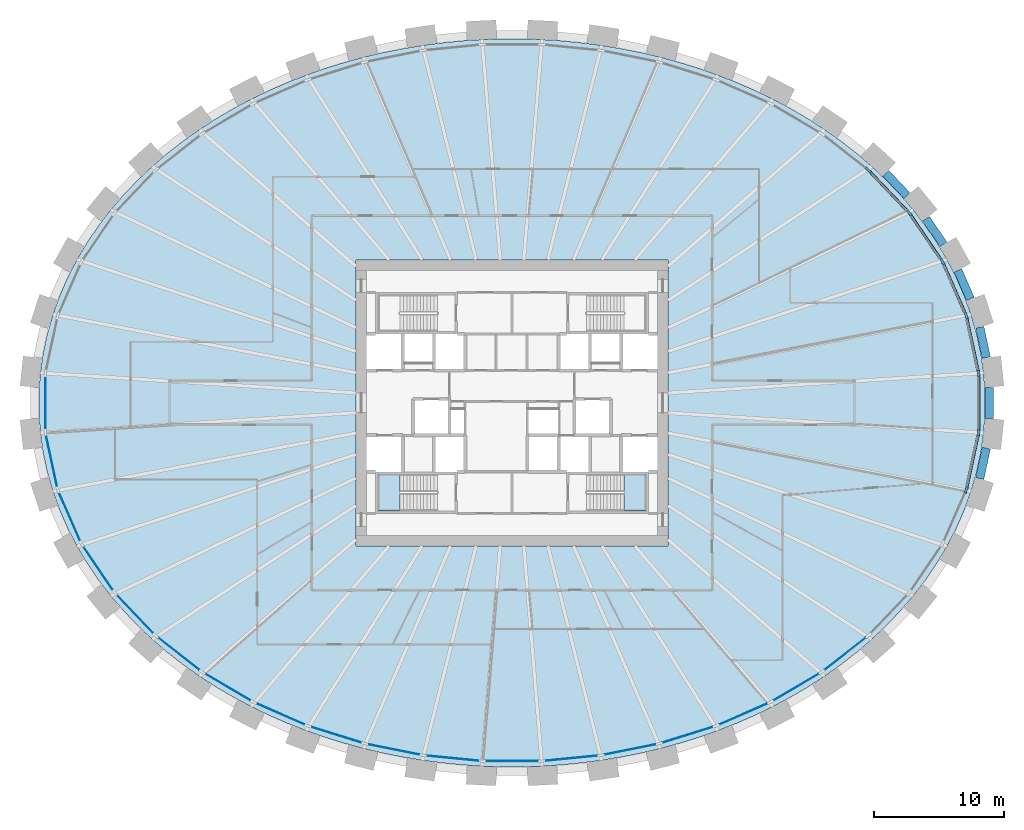
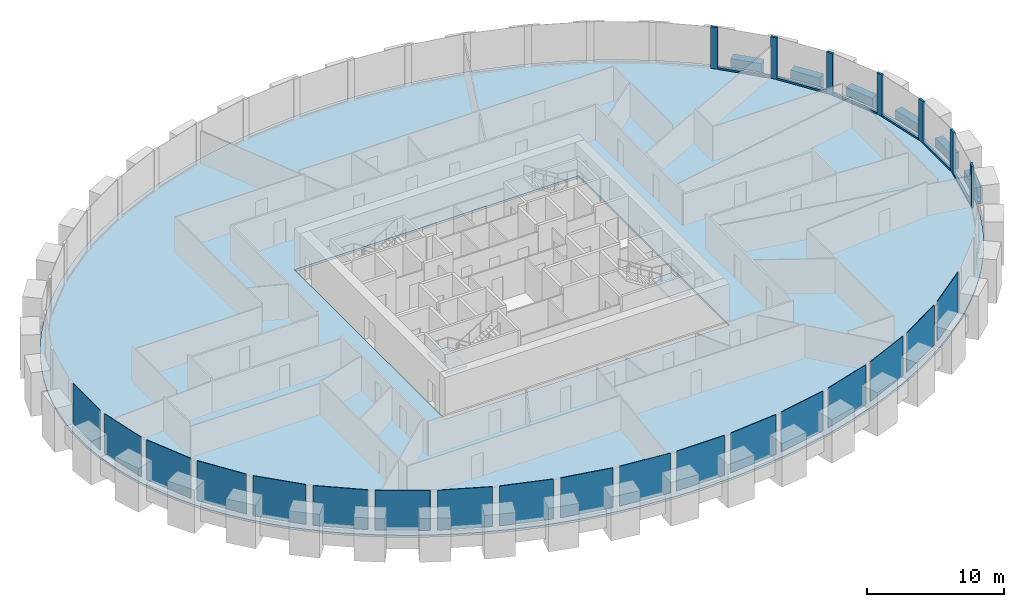
# One storey, part 4 of 10: 18 plates, 13 members, 6 beams, 3 slabs, 3 elements without a shape of their own.
"""IFC4 building model written with IfcOpenShell, lengths in metres."""

from ifc_helpers import new_model, si_unit, direction, frame, origin, origin_2d, place, context, subcontext, project, spatial, polyline, rectangle, outline, extrude, source, transform, mapped, material, layer, layer_set, material_profile, profile_set, type_object, element, aggregate, save


model = new_model("IFC4")

# Units and contexts
model_context = context("Model", 3, precision=1e-05, world=origin(), true_north=direction((0.0, 1.0)))
body_context = subcontext(model_context, "Body", "Model", "MODEL_VIEW")
ifc_project = project(units=[si_unit("LENGTHUNIT", "METRE"), si_unit("AREAUNIT", "SQUARE_METRE"), si_unit("VOLUMEUNIT", "CUBIC_METRE"), si_unit("PLANEANGLEUNIT", "RADIAN"), si_unit("MASSUNIT", "GRAM", prefix="KILO")], contexts=[model_context])

# Site, building, storey
site_placement = place(None, origin())
site = spatial("IfcSite", under=ifc_project, at=site_placement, CompositionType="ELEMENT")
building_placement = place(site_placement, origin())
building = spatial("IfcBuilding", under=site, at=building_placement, Name="Embergate Tower", CompositionType="ELEMENT")
storey_placement = place(building_placement, frame((0.0, 0.0, 175.5)))
storey = spatial("IfcBuildingStorey", under=building, at=storey_placement, Name="L39", CompositionType="ELEMENT", Elevation=175.5)

# Beams
ifc_material_1 = material(Name="Concrete C70", Category="concrete")
ifc_material_profile_1 = material_profile(ifc_material_1, rectangle(XDim=0.64990234375, YDim=1.5, at=origin_2d()), Name="RC 650x1500")
ifc_profile_set_1 = profile_set([ifc_material_profile_1], Name="Concrete C70")
beam_type = type_object("IfcBeamType", Name="Spandrel beam RC 650x1500 C70", PredefinedType="BEAM", material=ifc_profile_set_1)
shared_shape_1 = source(origin(), body_context, "Body", "SweptSolid", [
    extrude(rectangle(XDim=0.64990234375, YDim=1.5, at=origin_2d()), origin(), (0.0, 0.0, 1.0), 2.390625),
])
for number, where, z_axis, x_axis, name in (
    (1, (36.489013671875, 3.48388671875, 0.0), (-0.210372893439, 0.977621217909, 0.0), (-0.977621217909, -0.210372893439, 0.0), "SPN-L39-00"),
    (2, (35.986083984375, -5.821044921875, 0.0), (0.210372893439, 0.977621217909, 0.0), (-0.977621217909, 0.210372893439, 0.0), "SPN-L39-42"),
):
    element("IfcBeam", number, at=place(storey_placement, frame(where, z_axis=z_axis, x_axis=x_axis)), inside=storey, type_object=beam_type, Name=name, PredefinedType="BEAM", context=body_context, shape_type="MappedRepresentation", body=[
        mapped(shared_shape_1, transform((0.0, 0.0, 0.0))),
    ])
shared_shape_2 = source(origin(), body_context, "Body", "SweptSolid", [
    extrude(rectangle(XDim=0.64990234375, YDim=1.5, at=origin_2d()), origin(), (0.0, 0.0, 1.0), 2.383544921875),
])
beam_1_placement = place(storey_placement, frame((35.259033203125, 8.0029296875, 0.0), z_axis=(-0.401495719711, 0.915860899402, 0.0), x_axis=(-0.915860899402, -0.401495719711, 0.0)))
element("IfcBeam", 3, at=beam_1_placement, inside=storey, type_object=beam_type, Name="SPN-L39-01", PredefinedType="BEAM", context=body_context, shape_type="MappedRepresentation", body=[
    mapped(shared_shape_2, transform((0.0, 0.0, 0.0))),
])
shared_shape_3 = source(origin(), body_context, "Body", "SweptSolid", [
    extrude(rectangle(XDim=0.64990234375, YDim=1.5, at=origin_2d()), origin(), (0.0, 0.0, 1.0), 2.37744140625),
])
beam_2_placement = place(storey_placement, frame((33.18798828125, 12.198974609375, 0.0), z_axis=(-0.562307212713, 0.826928411975, 0.0), x_axis=(-0.826928411975, -0.562307212713, 0.0)))
element("IfcBeam", 4, at=beam_2_placement, inside=storey, type_object=beam_type, Name="SPN-L39-02", PredefinedType="BEAM", context=body_context, shape_type="MappedRepresentation", body=[
    mapped(shared_shape_3, transform((0.0, 0.0, 0.0))),
])
shared_shape_4 = source(origin(), body_context, "Body", "SweptSolid", [
    extrude(rectangle(XDim=0.64990234375, YDim=1.5, at=origin_2d()), origin(), (0.0, 0.0, 1.0), 2.370361328125),
])
beam_3_placement = place(storey_placement, frame((30.39111328125, 15.94189453125, 0.0), z_axis=(-0.690277300847, 0.723544917704, 0.0), x_axis=(-0.723544917704, -0.690277300847, 0.0)))
element("IfcBeam", 5, at=beam_3_placement, inside=storey, type_object=beam_type, Name="SPN-L39-03", PredefinedType="BEAM", context=body_context, shape_type="MappedRepresentation", body=[
    mapped(shared_shape_4, transform((0.0, 0.0, 0.0))),
])
shared_shape_5 = source(origin(), body_context, "Body", "SweptSolid", [
    extrude(rectangle(XDim=0.64990234375, YDim=1.5, at=origin_2d()), origin(), (0.0, 0.0, 1.0), 2.39404296875),
])
beam_4_placement = place(storey_placement, frame((36.73193359375, -1.197021484375, 0.0), z_axis=(0.0, 1.0, 0.0), x_axis=(-1.0, 0.0, 0.0)))
element("IfcBeam", 6, at=beam_4_placement, inside=storey, type_object=beam_type, Name="SPN-L39-43", PredefinedType="BEAM", context=body_context, shape_type="MappedRepresentation", body=[
    mapped(shared_shape_5, transform((0.0, 0.0, 0.0))),
])

# Curtain wall, members
ifc_material_2 = material(Name="Aluminium and glass", Category="aluminium")
curtain_wall_type = type_object("IfcCurtainWallType", Name="Recessed office glazing", PredefinedType="NOTDEFINED", material=ifc_material_2)
curtain_wall_placement = place(storey_placement, origin())
curtain_wall = element("IfcCurtainWall", 7, at=curtain_wall_placement, inside=storey, type_object=curtain_wall_type, Name="Recessed office glazing ring", ObjectType="RECESSED OFFICE GLAZING", PredefinedType="USERDEFINED")
ifc_material_3 = material(Name="Aluminium, thermally broken", Category="aluminium")
ifc_material_profile_2 = material_profile(ifc_material_3, rectangle(XDim=0.179931640625, YDim=0.52001953125, at=origin_2d()), Name="AL 520x180")
ifc_profile_set_2 = profile_set([ifc_material_profile_2], Name="Aluminium, thermally broken")
member_type_1 = type_object("IfcMemberType", Name="Office mullion", PredefinedType="MULLION", material=ifc_profile_set_2)
shared_shape_6 = source(origin(), body_context, "Body", "SweptSolid", [
    extrude(rectangle(XDim=0.179931640625, YDim=0.52001953125, at=origin_2d()), origin(), (0.0, 0.0, 1.0), 3.699951171875),
])
member_1_placement = place(storey_placement, frame((35.899658203125, 2.263427734375, 0.0), z_axis=(0.0, 0.0, 1.0), x_axis=(-0.994384770038, -0.105824992874, 0.0)))
member_1 = element("IfcMember", 8, at=member_1_placement, type_object=member_type_1, Name="CW mullion 1", PredefinedType="MULLION", context=body_context, shape_type="MappedRepresentation", body=[
    mapped(shared_shape_6, transform((0.0, 0.0, 0.0))),
])
member_2_placement = place(storey_placement, frame((34.94677734375, 6.691650390625, 0.0), z_axis=(0.0, 0.0, 1.0), x_axis=(-0.951496187099, -0.307660536853, 0.0)))
member_2 = element("IfcMember", 9, at=member_2_placement, type_object=member_type_1, Name="CW mullion 2", PredefinedType="MULLION", context=body_context, shape_type="MappedRepresentation", body=[
    mapped(shared_shape_6, transform((0.0, 0.0, 0.0))),
])
member_3_placement = place(storey_placement, frame((33.12451171875, 10.84619140625, 0.0), z_axis=(0.0, 0.0, 1.0), x_axis=(-0.874998516019, -0.484125600402, 0.0)))
member_3 = element("IfcMember", 10, at=member_3_placement, type_object=member_type_1, Name="CW mullion 3", PredefinedType="MULLION", context=body_context, shape_type="MappedRepresentation", body=[
    mapped(shared_shape_6, transform((0.0, 0.0, 0.0))),
])
member_4_placement = place(storey_placement, frame((30.568359375, 14.60498046875, 0.0), z_axis=(0.0, 0.0, 1.0), x_axis=(-0.777867080309, -0.62842883875, 0.0)))
member_4 = element("IfcMember", 11, at=member_4_placement, type_object=member_type_1, Name="CW mullion 4", PredefinedType="MULLION", context=body_context, shape_type="MappedRepresentation", body=[
    mapped(shared_shape_6, transform((0.0, 0.0, 0.0))),
])
member_5_placement = place(storey_placement, frame((27.425537109375, 17.900634765625, 0.0), z_axis=(0.0, 0.0, 1.0), x_axis=(-0.671221359023, -0.741256964346, 0.0)))
member_5 = element("IfcMember", 12, at=member_5_placement, type_object=member_type_1, Name="CW mullion 5", PredefinedType="MULLION", context=body_context, shape_type="MappedRepresentation", body=[
    mapped(shared_shape_6, transform((0.0, 0.0, 0.0))),
])
member_6_placement = place(storey_placement, frame((34.94677734375, -6.691650390625, 0.0), z_axis=(0.0, 0.0, 1.0), x_axis=(-0.951496187099, 0.307660536853, 0.0)))
member_6 = element("IfcMember", 13, at=member_6_placement, type_object=member_type_1, Name="CW mullion 43", PredefinedType="MULLION", context=body_context, shape_type="MappedRepresentation", body=[
    mapped(shared_shape_6, transform((0.0, 0.0, 0.0))),
])
member_7_placement = place(storey_placement, frame((35.899658203125, -2.263427734375, 0.0), z_axis=(0.0, 0.0, 1.0), x_axis=(-0.994384770038, 0.105824992874, 0.0)))
member_7 = element("IfcMember", 14, at=member_7_placement, type_object=member_type_1, Name="CW mullion 44", PredefinedType="MULLION", context=body_context, shape_type="MappedRepresentation", body=[
    mapped(shared_shape_6, transform((0.0, 0.0, 0.0))),
])
ifc_material_profile_3 = material_profile(ifc_material_3, rectangle(XDim=0.179931640625, YDim=0.14990234375, at=origin_2d()), Name="AL 150x180")
ifc_profile_set_3 = profile_set([ifc_material_profile_3], Name="Aluminium, thermally broken")
member_type_2 = type_object("IfcMemberType", Name="Office sill transom", PredefinedType="USERDEFINED", material=ifc_profile_set_3)
shared_shape_7 = source(origin(), body_context, "Body", "SweptSolid", [
    extrude(rectangle(XDim=0.179931640625, YDim=0.14990234375, at=origin_2d()), origin(), (0.0, 0.0, 1.0), 4.009765625),
])
member_8_placement = place(storey_placement, frame((35.844970703125, 2.517578125, 0.074951171875), z_axis=(-0.210368972531, 0.977622061635, 0.0), x_axis=(-0.977622061635, -0.210368972531, 0.0)))
member_8 = element("IfcMember", 15, at=member_8_placement, type_object=member_type_2, Name="CW transom 1.1", ObjectType="TRANSOM", PredefinedType="USERDEFINED", context=body_context, shape_type="MappedRepresentation", body=[
    mapped(shared_shape_7, transform((0.0, 0.0, 0.0))),
])
member_9_placement = place(storey_placement, frame((35.00146484375, -6.4375, 0.074951171875), z_axis=(0.210368972531, 0.977622061635, 0.0), x_axis=(-0.977622061635, 0.210368972531, 0.0)))
member_9 = element("IfcMember", 16, at=member_9_placement, type_object=member_type_2, Name="CW transom 43.1", ObjectType="TRANSOM", PredefinedType="USERDEFINED", context=body_context, shape_type="MappedRepresentation", body=[
    mapped(shared_shape_7, transform((0.0, 0.0, 0.0))),
])
shared_shape_8 = source(origin(), body_context, "Body", "SweptSolid", [
    extrude(rectangle(XDim=0.179931640625, YDim=0.14990234375, at=origin_2d()), origin(), (0.0, 0.0, 1.0), 4.0166015625),
])
member_10_placement = place(storey_placement, frame((34.84228515625, 6.9296875, 0.074951171875), z_axis=(-0.401644503167, 0.915795661202, 0.0), x_axis=(-0.915795661202, -0.401644503167, 0.0)))
member_10 = element("IfcMember", 17, at=member_10_placement, type_object=member_type_2, Name="CW transom 2.1", ObjectType="TRANSOM", PredefinedType="USERDEFINED", context=body_context, shape_type="MappedRepresentation", body=[
    mapped(shared_shape_8, transform((0.0, 0.0, 0.0))),
])
shared_shape_9 = source(origin(), body_context, "Body", "SweptSolid", [
    extrude(rectangle(XDim=0.179931640625, YDim=0.14990234375, at=origin_2d()), origin(), (0.0, 0.0, 1.0), 4.025390625),
])
member_11_placement = place(storey_placement, frame((32.978271484375, 11.061279296875, 0.074951171875), z_axis=(-0.562346517012, 0.826901683881, 0.0), x_axis=(-0.826901683881, -0.562346517012, 0.0)))
member_11 = element("IfcMember", 18, at=member_11_placement, type_object=member_type_2, Name="CW transom 3.1", ObjectType="TRANSOM", PredefinedType="USERDEFINED", context=body_context, shape_type="MappedRepresentation", body=[
    mapped(shared_shape_9, transform((0.0, 0.0, 0.0))),
])
shared_shape_10 = source(origin(), body_context, "Body", "SweptSolid", [
    extrude(rectangle(XDim=0.179931640625, YDim=0.14990234375, at=origin_2d()), origin(), (0.0, 0.0, 1.0), 4.033935546875),
])
member_12_placement = place(storey_placement, frame((30.388916015625, 14.79296875, 0.074951171875), z_axis=(-0.690112930661, 0.723701694716, 0.0), x_axis=(-0.723701694716, -0.690112930661, 0.0)))
member_12 = element("IfcMember", 19, at=member_12_placement, type_object=member_type_2, Name="CW transom 4.1", ObjectType="TRANSOM", PredefinedType="USERDEFINED", context=body_context, shape_type="MappedRepresentation", body=[
    mapped(shared_shape_10, transform((0.0, 0.0, 0.0))),
])
shared_shape_11 = source(origin(), body_context, "Body", "SweptSolid", [
    extrude(rectangle(XDim=0.179931640625, YDim=0.14990234375, at=origin_2d()), origin(), (0.0, 0.0, 1.0), 4.0068359375),
])
member_13_placement = place(storey_placement, frame((35.899658203125, -2.00341796875, 0.074951171875), z_axis=(0.0, 1.0, 0.0), x_axis=(-1.0, 0.0, 0.0)))
member_13 = element("IfcMember", 20, at=member_13_placement, type_object=member_type_2, Name="CW transom 44.1", ObjectType="TRANSOM", PredefinedType="USERDEFINED", context=body_context, shape_type="MappedRepresentation", body=[
    mapped(shared_shape_11, transform((0.0, 0.0, 0.0))),
])

# Slab
ifc_material_4 = material(Name="Concrete C40", Category="concrete")
ifc_layer_1 = layer(ifc_material_4, 0.199951171875)
ifc_layer_set_1 = layer_set([ifc_layer_1], Name="Concrete C40")
slab_type_1 = type_object("IfcSlabType", Name="Composite floor slab C40 200", PredefinedType="FLOOR", material=ifc_layer_set_1)
shared_shape_12 = source(origin(), body_context, "Body", "SweptSolid", [
    extrude(outline(polyline([(0.0, 0.0), (1.5400390625, 0.0), (3.0791015625, 0.050048828125), (4.617919921875, 0.15087890625), (6.151123046875, 0.302001953125), (7.674072265625, 0.501953125), (9.198974609375, 0.7548828125), (10.708984375, 1.057861328125), (12.200927734375, 1.409912109375), (13.696044921875, 1.81787109375), (15.166015625, 2.27587890625), (16.609130859375, 2.782958984375), (18.053955078125, 3.35107421875), (19.465087890625, 3.968017578125), (20.839111328125, 4.6318359375), (22.2109375, 5.364990234375), (23.5390625, 6.14501953125), (24.818115234375, 6.971923828125), (26.089111328125, 7.8740234375), (27.302978515625, 8.821044921875), (28.4560546875, 9.81201171875), (29.589111328125, 10.884033203125), (30.651123046875, 11.998046875), (31.64111328125, 13.15087890625), (32.590087890625, 14.387939453125), (33.4560546875, 15.660888671875), (34.235107421875, 16.966064453125), (34.949951171875, 18.347900390625), (35.568115234375, 19.7568359375), (36.0869140625, 21.18896484375), (36.51708984375, 22.677978515625), (36.841064453125, 24.181884765625), (37.05712890625, 25.697021484375), (37.1669921875, 27.23291015625), (37.1669921875, 28.77099609375), (37.05712890625, 30.306884765625), (36.841064453125, 31.822021484375), (36.51708984375, 33.325927734375), (36.0869140625, 34.81494140625), (35.568115234375, 36.2470703125), (34.949951171875, 37.656005859375), (34.235107421875, 39.037841796875), (33.4560546875, 40.343017578125), (32.590087890625, 41.615966796875), (31.64111328125, 42.85302734375), (30.651123046875, 44.005859375), (29.589111328125, 45.119873046875), (28.4560546875, 46.19189453125), (27.302978515625, 47.182861328125), (26.089111328125, 48.1298828125), (24.818115234375, 49.031982421875), (23.5390625, 49.85888671875), (22.2109375, 50.638916015625), (20.839111328125, 51.3720703125), (19.465087890625, 52.035888671875), (18.053955078125, 52.65283203125), (16.609130859375, 53.220947265625), (15.166015625, 53.72802734375), (13.696044921875, 54.18603515625), (12.200927734375, 54.593994140625), (10.708984375, 54.946044921875), (9.198974609375, 55.2490234375), (7.674072265625, 55.501953125), (6.151123046875, 55.701904296875), (4.617919921875, 55.85302734375), (3.0791015625, 55.953857421875), (1.5400390625, 56.00390625), (0.0, 56.00390625), (-1.5390625, 55.953857421875), (-3.077880859375, 55.85302734375), (-4.611083984375, 55.701904296875), (-6.134033203125, 55.501953125), (-7.658935546875, 55.2490234375), (-9.1689453125, 54.946044921875), (-10.660888671875, 54.593994140625), (-12.156005859375, 54.18603515625), (-13.6259765625, 53.72802734375), (-15.069091796875, 53.220947265625), (-16.513916015625, 52.65283203125), (-17.925048828125, 52.035888671875), (-19.299072265625, 51.3720703125), (-20.6708984375, 50.638916015625), (-21.9990234375, 49.85888671875), (-23.278076171875, 49.031982421875), (-24.549072265625, 48.1298828125), (-25.762939453125, 47.182861328125), (-26.916015625, 46.19189453125), (-28.049072265625, 45.119873046875), (-29.111083984375, 44.005859375), (-30.10107421875, 42.85302734375), (-31.050048828125, 41.615966796875), (-31.916015625, 40.343017578125), (-32.695068359375, 39.037841796875), (-33.409912109375, 37.656005859375), (-34.028076171875, 36.2470703125), (-34.546875, 34.81494140625), (-34.97705078125, 33.325927734375), (-35.301025390625, 31.822021484375), (-35.51708984375, 30.306884765625), (-35.626953125, 28.77099609375), (-35.626953125, 27.23291015625), (-35.51708984375, 25.697021484375), (-35.301025390625, 24.181884765625), (-34.97705078125, 22.677978515625), (-34.546875, 21.18896484375), (-34.028076171875, 19.7568359375), (-33.409912109375, 18.347900390625), (-32.695068359375, 16.966064453125), (-31.916015625, 15.660888671875), (-31.050048828125, 14.387939453125), (-30.10107421875, 13.15087890625), (-29.111083984375, 11.998046875), (-28.049072265625, 10.884033203125), (-26.916015625, 9.81201171875), (-25.762939453125, 8.821044921875), (-24.549072265625, 7.8740234375), (-23.278076171875, 6.971923828125), (-21.9990234375, 6.14501953125), (-20.6708984375, 5.364990234375), (-19.299072265625, 4.6318359375), (-17.925048828125, 3.968017578125), (-16.513916015625, 3.35107421875), (-15.069091796875, 2.782958984375), (-13.6259765625, 2.27587890625), (-12.156005859375, 1.81787109375), (-10.660888671875, 1.409912109375), (-9.1689453125, 1.057861328125), (-7.658935546875, 0.7548828125), (-6.134033203125, 0.501953125), (-4.611083984375, 0.302001953125), (-3.077880859375, 0.15087890625), (-1.5390625, 0.050048828125), (0.0, 0.0)]), holes=[polyline([(-11.22998046875, 17.001953125), (-11.22998046875, 39.001953125), (12.77001953125, 39.001953125), (12.77001953125, 17.001953125), (-11.22998046875, 17.001953125)])]), origin(), (0.0, 0.0, 1.0), 0.199951171875),
])
slab_1_placement = place(storey_placement, frame((-0.77001953125, -28.001953125, -0.199951171875)))
element("IfcSlab", 21, at=slab_1_placement, inside=storey, type_object=slab_type_1, Name="SLB-L39-00", PredefinedType="FLOOR", context=body_context, shape_type="MappedRepresentation", body=[
    mapped(shared_shape_12, transform((0.0, 0.0, 0.0))),
])

# Plate
ifc_material_5 = material(Name="Triple glazing, low-emissivity coating", Category="glass")
ifc_layer_2 = layer(ifc_material_5, 0.035888671875)
ifc_layer_set_2 = layer_set([ifc_layer_2], Name="Triple glazing, low-emissivity coating")
plate_type = type_object("IfcPlateType", Name="Office glazing unit", PredefinedType="CURTAIN_PANEL", material=ifc_layer_set_2)
shared_shape_13 = source(origin(), body_context, "Body", "SweptSolid", [
    extrude(rectangle(XDim=4.055419921875, YDim=0.035888671875, at=origin_2d()), origin(), (0.0, 0.0, 1.0), 3.550048828125),
])
plate_1_placement = place(storey_placement, frame((-13.518798828125, -25.533935546875, 0.14990234375), z_axis=(0.0, 0.0, 1.0), x_axis=(0.954773255075, -0.29733488089, 0.0)))
plate_1 = element("IfcPlate", 22, at=plate_1_placement, type_object=plate_type, Name="CW panel 30.1", PredefinedType="CURTAIN_PANEL", context=body_context, shape_type="MappedRepresentation", body=[
    mapped(shared_shape_13, transform((0.0, 0.0, 0.0))),
])

plate_2_placement = place(storey_placement, frame((13.518798828125, -25.533935546875, 0.14990234375), z_axis=(0.0, 0.0, 1.0), x_axis=(0.954773255075, 0.29733488089, 0.0)))
plate_2 = element("IfcPlate", 23, at=plate_2_placement, type_object=plate_type, Name="CW panel 36.1", PredefinedType="CURTAIN_PANEL", context=body_context, shape_type="MappedRepresentation", body=[
    mapped(shared_shape_13, transform((0.0, 0.0, 0.0))),
])

shared_shape_14 = source(origin(), body_context, "Body", "SweptSolid", [
    extrude(rectangle(XDim=4.009765625, YDim=0.035888671875, at=origin_2d()), origin(), (0.0, 0.0, 1.0), 3.550048828125),
])
plate_3_placement = place(storey_placement, frame((-35.423095703125, -4.4775390625, 0.14990234375), z_axis=(0.0, 0.0, 1.0), x_axis=(0.210401803698, -0.977614996305, 0.0)))
plate_3 = element("IfcPlate", 24, at=plate_3_placement, type_object=plate_type, Name="CW panel 23.1", PredefinedType="CURTAIN_PANEL", context=body_context, shape_type="MappedRepresentation", body=[
    mapped(shared_shape_14, transform((0.0, 0.0, 0.0))),
])

shared_shape_15 = source(origin(), body_context, "Body", "SweptSolid", [
    extrude(rectangle(XDim=4.0166015625, YDim=0.035888671875, at=origin_2d()), origin(), (0.0, 0.0, 1.0), 3.550048828125),
])
plate_4_placement = place(storey_placement, frame((-34.03564453125, -8.76904296875, 0.14990234375), z_axis=(0.0, 0.0, 1.0), x_axis=(0.401658494584, -0.915789524797, 0.0)))
plate_4 = element("IfcPlate", 25, at=plate_4_placement, type_object=plate_type, Name="CW panel 24.1", PredefinedType="CURTAIN_PANEL", context=body_context, shape_type="MappedRepresentation", body=[
    mapped(shared_shape_15, transform((0.0, 0.0, 0.0))),
])

shared_shape_16 = source(origin(), body_context, "Body", "SweptSolid", [
    extrude(rectangle(XDim=4.025390625, YDim=0.035888671875, at=origin_2d()), origin(), (0.0, 0.0, 1.0), 3.550048828125),
])
plate_5_placement = place(storey_placement, frame((-31.846435546875, -12.7255859375, 0.14990234375), z_axis=(0.0, 0.0, 1.0), x_axis=(0.562347514787, -0.826901005328, 0.0)))
plate_5 = element("IfcPlate", 26, at=plate_5_placement, type_object=plate_type, Name="CW panel 25.1", PredefinedType="CURTAIN_PANEL", context=body_context, shape_type="MappedRepresentation", body=[
    mapped(shared_shape_16, transform((0.0, 0.0, 0.0))),
])

shared_shape_17 = source(origin(), body_context, "Body", "SweptSolid", [
    extrude(rectangle(XDim=4.0341796875, YDim=0.035888671875, at=origin_2d()), origin(), (0.0, 0.0, 1.0), 3.550048828125),
])
plate_6_placement = place(storey_placement, frame((-28.996826171875, -16.252685546875, 0.14990234375), z_axis=(0.0, 0.0, 1.0), x_axis=(0.690140099753, -0.723675785634, 0.0)))
plate_6 = element("IfcPlate", 27, at=plate_6_placement, type_object=plate_type, Name="CW panel 26.1", PredefinedType="CURTAIN_PANEL", context=body_context, shape_type="MappedRepresentation", body=[
    mapped(shared_shape_17, transform((0.0, 0.0, 0.0))),
])

shared_shape_18 = source(origin(), body_context, "Body", "SweptSolid", [
    extrude(rectangle(XDim=4.04150390625, YDim=0.035888671875, at=origin_2d()), origin(), (0.0, 0.0, 1.0), 3.550048828125),
])
plate_7_placement = place(storey_placement, frame((-25.62744140625, -19.3037109375, 0.14990234375), z_axis=(0.0, 0.0, 1.0), x_axis=(0.788324414597, -0.61525979663, 0.0)))
plate_7 = element("IfcPlate", 28, at=plate_7_placement, type_object=plate_type, Name="CW panel 27.1", PredefinedType="CURTAIN_PANEL", context=body_context, shape_type="MappedRepresentation", body=[
    mapped(shared_shape_18, transform((0.0, 0.0, 0.0))),
])

plate_8_placement = place(storey_placement, frame((25.62744140625, -19.3037109375, 0.14990234375), z_axis=(0.0, 0.0, 1.0), x_axis=(0.788324414597, 0.61525979663, 0.0)))
plate_8 = element("IfcPlate", 29, at=plate_8_placement, type_object=plate_type, Name="CW panel 39.1", PredefinedType="CURTAIN_PANEL", context=body_context, shape_type="MappedRepresentation", body=[
    mapped(shared_shape_18, transform((0.0, 0.0, 0.0))),
])

shared_shape_19 = source(origin(), body_context, "Body", "SweptSolid", [
    extrude(rectangle(XDim=4.047607421875, YDim=0.035888671875, at=origin_2d()), origin(), (0.0, 0.0, 1.0), 3.550048828125),
])
plate_9_placement = place(storey_placement, frame((-21.86083984375, -21.864501953125, 0.14990234375), z_axis=(0.0, 0.0, 1.0), x_axis=(0.862055821492, -0.506813339043, 0.0)))
plate_9 = element("IfcPlate", 30, at=plate_9_placement, type_object=plate_type, Name="CW panel 28.1", PredefinedType="CURTAIN_PANEL", context=body_context, shape_type="MappedRepresentation", body=[
    mapped(shared_shape_19, transform((0.0, 0.0, 0.0))),
])

plate_10_placement = place(storey_placement, frame((21.86083984375, -21.864501953125, 0.14990234375), z_axis=(0.0, 0.0, 1.0), x_axis=(0.862055821492, 0.506813339043, 0.0)))
plate_10 = element("IfcPlate", 31, at=plate_10_placement, type_object=plate_type, Name="CW panel 38.1", PredefinedType="CURTAIN_PANEL", context=body_context, shape_type="MappedRepresentation", body=[
    mapped(shared_shape_19, transform((0.0, 0.0, 0.0))),
])

shared_shape_20 = source(origin(), body_context, "Body", "SweptSolid", [
    extrude(rectangle(XDim=4.052001953125, YDim=0.035888671875, at=origin_2d()), origin(), (0.0, 0.0, 1.0), 3.550048828125),
])
plate_11_placement = place(storey_placement, frame((-17.797607421875, -23.937744140625, 0.14990234375), z_axis=(0.0, 0.0, 1.0), x_axis=(0.916238309467, -0.400633698365, 0.0)))
plate_11 = element("IfcPlate", 32, at=plate_11_placement, type_object=plate_type, Name="CW panel 29.1", PredefinedType="CURTAIN_PANEL", context=body_context, shape_type="MappedRepresentation", body=[
    mapped(shared_shape_20, transform((0.0, 0.0, 0.0))),
])

plate_12_placement = place(storey_placement, frame((17.797607421875, -23.937744140625, 0.14990234375), z_axis=(0.0, 0.0, 1.0), x_axis=(0.916238309467, 0.400633698365, 0.0)))
plate_12 = element("IfcPlate", 33, at=plate_12_placement, type_object=plate_type, Name="CW panel 37.1", PredefinedType="CURTAIN_PANEL", context=body_context, shape_type="MappedRepresentation", body=[
    mapped(shared_shape_20, transform((0.0, 0.0, 0.0))),
])

shared_shape_21 = source(origin(), body_context, "Body", "SweptSolid", [
    extrude(rectangle(XDim=4.0576171875, YDim=0.035888671875, at=origin_2d()), origin(), (0.0, 0.0, 1.0), 3.550048828125),
])
plate_13_placement = place(storey_placement, frame((-9.090576171875, -26.6640625, 0.14990234375), z_axis=(0.0, 0.0, 1.0), x_axis=(0.980476250608, -0.196637539636, 0.0)))
plate_13 = element("IfcPlate", 34, at=plate_13_placement, type_object=plate_type, Name="CW panel 31.1", PredefinedType="CURTAIN_PANEL", context=body_context, shape_type="MappedRepresentation", body=[
    mapped(shared_shape_21, transform((0.0, 0.0, 0.0))),
])

plate_14_placement = place(storey_placement, frame((9.090576171875, -26.6640625, 0.14990234375), z_axis=(0.0, 0.0, 1.0), x_axis=(0.980476250608, 0.196637539636, 0.0)))
plate_14 = element("IfcPlate", 35, at=plate_14_placement, type_object=plate_type, Name="CW panel 35.1", PredefinedType="CURTAIN_PANEL", context=body_context, shape_type="MappedRepresentation", body=[
    mapped(shared_shape_21, transform((0.0, 0.0, 0.0))),
])

shared_shape_22 = source(origin(), body_context, "Body", "SweptSolid", [
    extrude(rectangle(XDim=4.058837890625, YDim=0.035888671875, at=origin_2d()), origin(), (0.0, 0.0, 1.0), 3.550048828125),
])
plate_15_placement = place(storey_placement, frame((-4.568115234375, -27.338134765625, 0.14990234375), z_axis=(0.0, 0.0, 1.0), x_axis=(0.995203355531, -0.09782781373, 0.0)))
plate_15 = element("IfcPlate", 36, at=plate_15_placement, type_object=plate_type, Name="CW panel 32.1", PredefinedType="CURTAIN_PANEL", context=body_context, shape_type="MappedRepresentation", body=[
    mapped(shared_shape_22, transform((0.0, 0.0, 0.0))),
])

plate_16_placement = place(storey_placement, frame((4.568115234375, -27.338134765625, 0.14990234375), z_axis=(0.0, 0.0, 1.0), x_axis=(0.995203355531, 0.09782781373, 0.0)))
plate_16 = element("IfcPlate", 37, at=plate_16_placement, type_object=plate_type, Name="CW panel 34.1", PredefinedType="CURTAIN_PANEL", context=body_context, shape_type="MappedRepresentation", body=[
    mapped(shared_shape_22, transform((0.0, 0.0, 0.0))),
])

shared_shape_23 = source(origin(), body_context, "Body", "SweptSolid", [
    extrude(rectangle(XDim=4.05908203125, YDim=0.035888671875, at=origin_2d()), origin(), (0.0, 0.0, 1.0), 3.550048828125),
])
plate_17_placement = place(storey_placement, frame((0.0, -27.56201171875, 0.14990234375), z_axis=(0.0, 0.0, 1.0), x_axis=(1.0, 0.0, 0.0)))
plate_17 = element("IfcPlate", 38, at=plate_17_placement, type_object=plate_type, Name="CW panel 33.1", PredefinedType="CURTAIN_PANEL", context=body_context, shape_type="MappedRepresentation", body=[
    mapped(shared_shape_23, transform((0.0, 0.0, 0.0))),
])

shared_shape_24 = source(origin(), body_context, "Body", "SweptSolid", [
    extrude(rectangle(XDim=4.007080078125, YDim=0.035888671875, at=origin_2d()), origin(), (0.0, 0.0, 1.0), 3.550048828125),
])
plate_18_placement = place(storey_placement, frame((-35.899658203125, 0.0, 0.14990234375), z_axis=(0.0, 0.0, 1.0), x_axis=(0.0, -1.0, 0.0)))
plate_18 = element("IfcPlate", 39, at=plate_18_placement, type_object=plate_type, Name="CW panel 22.1", PredefinedType="CURTAIN_PANEL", context=body_context, shape_type="MappedRepresentation", body=[
    mapped(shared_shape_24, transform((0.0, 0.0, 0.0))),
])

aggregate(curtain_wall, [member_1, member_2, member_3, member_4, member_5, member_6, member_7, member_8, member_10, member_11, member_12, plate_18, plate_3, plate_4, plate_5, plate_6, plate_7, plate_9, plate_11, plate_1, plate_13, plate_15, plate_17, plate_16, plate_14, plate_2, plate_12, plate_10, plate_8, member_9, member_13])

# Stair, slab
ifc_material_6 = material(Name="Exit stair")
stair_type = type_object("IfcStairType", Name="Exit stair", PredefinedType="HALF_TURN_STAIR", material=ifc_material_6)
stair_1_placement = place(storey_placement, origin())
stair_1 = element("IfcStair", 40, at=stair_1_placement, inside=storey, type_object=stair_type, Name="L39 Exit stair 3", PredefinedType="HALF_TURN_STAIR")
ifc_layer_3 = layer(ifc_material_4, 0.199951171875)
ifc_layer_set_3 = layer_set([ifc_layer_3], Name="Concrete C40")
slab_type_2 = type_object("IfcSlabType", Name="Stair landing reinforced concrete", PredefinedType="LANDING", material=ifc_layer_set_3)
shared_shape_25 = source(origin(), body_context, "Body", "SweptSolid", [
    extrude(outline(polyline([(0.0, 0.0), (1.68994140625, 0.0), (1.68994140625, 2.800048828125), (0.0, 2.800048828125), (0.0, 0.0)])), origin(), (0.0, 0.0, 1.0), 0.199951171875),
])
slab_2_placement = place(storey_placement, frame((-10.300048828125, -8.300048828125, 1.75)))
slab_2 = element("IfcSlab", 41, at=slab_2_placement, type_object=slab_type_2, Name="ST3 landing 1", PredefinedType="LANDING", context=body_context, shape_type="MappedRepresentation", body=[
    mapped(shared_shape_25, transform((0.0, 0.0, 0.0))),
])
aggregate(stair_1, [slab_2])

stair_2_placement = place(storey_placement, origin())
stair_2 = element("IfcStair", 42, at=stair_2_placement, inside=storey, type_object=stair_type, Name="L39 Exit stair 4", PredefinedType="HALF_TURN_STAIR")
slab_3_placement = place(storey_placement, frame((8.610107421875, -8.300048828125, 1.75)))
slab_3 = element("IfcSlab", 43, at=slab_3_placement, type_object=slab_type_2, Name="ST4 landing 1", PredefinedType="LANDING", context=body_context, shape_type="MappedRepresentation", body=[
    mapped(shared_shape_25, transform((0.0, 0.0, 0.0))),
])
aggregate(stair_2, [slab_3])

save(model, "model.ifc")
